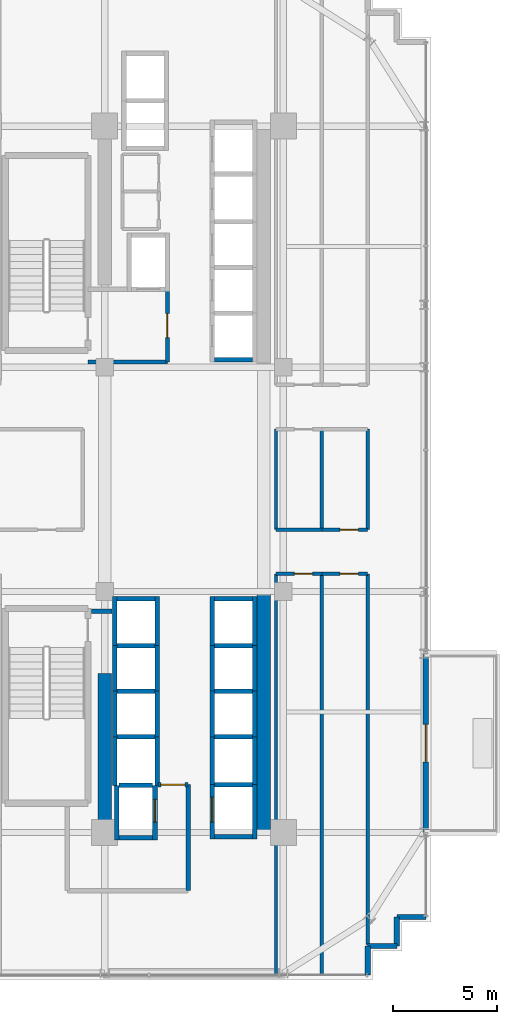
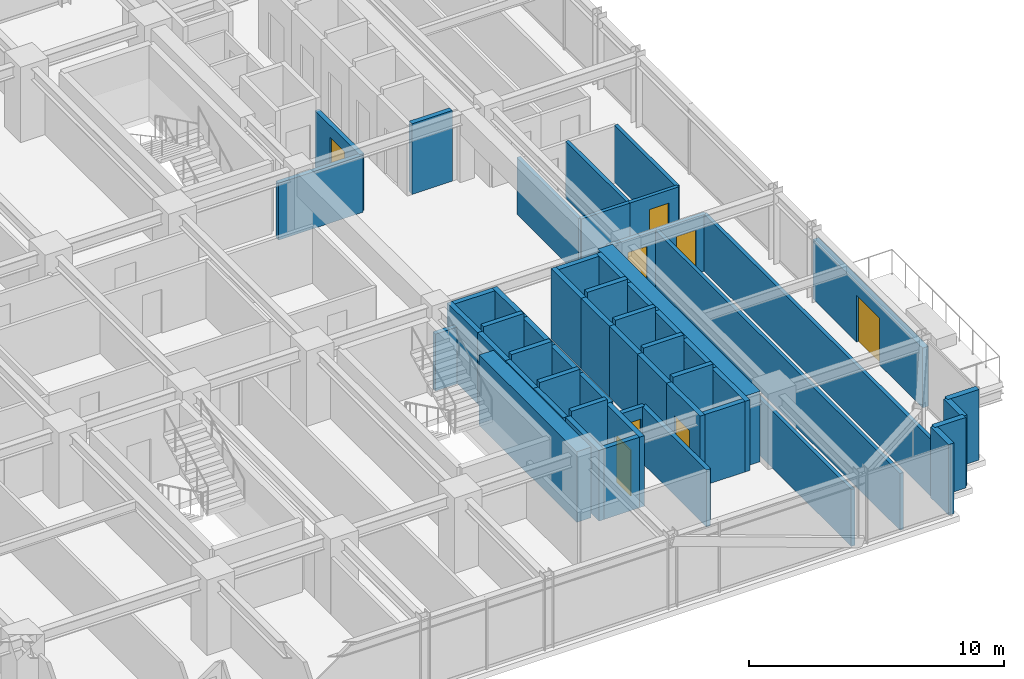
# One storey, part 28 of 34: 55 walls, 8 doors, 8 openings.
"""IFC4 building model written with IfcOpenShell, lengths in metres."""

from ifc_helpers import new_model, si_unit, direction, frame, frame_2d, origin, place, context, subcontext, project, spatial, rectangle, extrude, source, transform, mapped, material, layer, layer_set, type_object, element, fill, save


model = new_model("IFC4")

# Units and contexts
model_context = context("Model", 3, precision=1e-05, world=origin(), true_north=direction((0.0, 1.0)))
body_context = subcontext(model_context, "Body", "Model", "MODEL_VIEW")
ifc_project = project(units=[si_unit("LENGTHUNIT", "METRE"), si_unit("AREAUNIT", "SQUARE_METRE"), si_unit("VOLUMEUNIT", "CUBIC_METRE"), si_unit("PLANEANGLEUNIT", "RADIAN"), si_unit("MASSUNIT", "GRAM", prefix="KILO")], contexts=[model_context])

# Site, building, storey
site_placement = place(None, origin())
site = spatial("IfcSite", under=ifc_project, at=site_placement, CompositionType="ELEMENT")
building_placement = place(site_placement, origin())
building = spatial("IfcBuilding", under=site, at=building_placement, Name="Nahalor Promenade Grand Hotel", CompositionType="ELEMENT")
storey_placement = place(building_placement, frame((0.0, 0.0, 128.449951171875)))
storey = spatial("IfcBuildingStorey", under=building, at=storey_placement, Name="L32", CompositionType="ELEMENT", Elevation=128.449951171875)

# Walls
ifc_material_1 = material(Name="Concrete B-60 (C50/60)", Category="concrete")
ifc_layer_1 = layer(ifc_material_1, 0.64990234375)
ifc_layer_set_1 = layer_set([ifc_layer_1], Name="Concrete B-60 (C50/60)")
wall_type_1 = type_object("IfcWallType", Name="Wall-CoreShear-650", PredefinedType="SHEAR", material=ifc_layer_set_1)
shared_shape_1 = source(origin(), body_context, "Body", "SweptSolid", [
    extrude(rectangle(XDim=7.64990234375, YDim=0.64990234375, at=frame_2d((3.824951171875, 0.0))), origin(), (0.0, 0.0, 1.0), 3.380126953125),
])
wall_1_placement = place(storey_placement, frame((8.39990234375, -17.0, 0.0), z_axis=(0.0, 0.0, 1.0), x_axis=(0.0, 1.0, 0.0)))
element("IfcWall", 1, at=wall_1_placement, inside=storey, type_object=wall_type_1, Name="CWALL-L32-SW", PredefinedType="SHEAR", context=body_context, shape_type="MappedRepresentation", body=[
    mapped(shared_shape_1, transform((0.0, 0.0, 0.0), scale=1.0)),
])
shared_shape_2 = source(origin(), body_context, "Body", "SweptSolid", [
    extrude(rectangle(XDim=11.60009765625, YDim=0.64990234375, at=frame_2d((5.800048828125, 0.0))), origin(), (0.0, 0.0, 1.0), 3.380126953125),
])
wall_2_placement = place(storey_placement, frame((16.050048828125, -17.0, 0.0), z_axis=(0.0, 0.0, 1.0), x_axis=(0.0, 1.0, 0.0)))
element("IfcWall", 2, at=wall_2_placement, inside=storey, type_object=wall_type_1, Name="CWALL-L32-SE", PredefinedType="SHEAR", context=body_context, shape_type="MappedRepresentation", body=[
    mapped(shared_shape_2, transform((0.0, 0.0, 0.0), scale=1.0)),
])
ifc_material_2 = material(Name="Concrete B-50 (C40/50)", Category="concrete")
ifc_layer_2 = layer(ifc_material_2, 0.219970703125)
ifc_layer_set_2 = layer_set([ifc_layer_2], Name="Concrete B-50 (C40/50)")
wall_type_2 = type_object("IfcWallType", Name="Wall-LiftShaft-220", PredefinedType="SHEAR", material=ifc_layer_set_2)
shared_shape_3 = source(origin(), body_context, "Body", "SweptSolid", [
    extrude(rectangle(XDim=1.820068359375, YDim=0.219970703125, at=frame_2d((0.91015625, 0.0))), origin(), (0.0, 0.0, 1.0), 3.650146484375),
])
for number, where, z_axis, x_axis, name in (
    (3, (13.68994140625, -8.0, 0.0), (0.0, 0.0, 1.0), (1.0, 0.0, 0.0), "L32 Lift PL6 Hoistway Wall N"),
    (4, (13.68994140625, -10.199951171875, 0.0), (0.0, 0.0, 1.0), (1.0, 0.0, 0.0), "L32 Lift PL7 Hoistway Wall N"),
    (5, (13.68994140625, -12.39990234375, 0.0), (0.0, 0.0, 1.0), (1.0, 0.0, 0.0), "L32 Lift PL8 Hoistway Wall N"),
    (6, (8.989990234375, -8.0, 0.0), (0.0, 0.0, 1.0), (1.0, 0.0, 0.0), "L32 Lift PL10 Hoistway Wall N"),
    (7, (8.989990234375, -10.199951171875, 0.0), (0.0, 0.0, 1.0), (1.0, 0.0, 0.0), "L32 Lift PL11 Hoistway Wall N"),
    (8, (8.989990234375, -12.39990234375, 0.0), (0.0, 0.0, 1.0), (1.0, 0.0, 0.0), "L32 Lift PL12 Hoistway Wall N"),
    (9, (13.68994140625, -14.699951171875, 0.0), (0.0, 0.0, 1.0), (1.0, 0.0, 0.0), "L32 Lift SV2 Hoistway Wall N"),
):
    element("IfcWall", number, at=place(storey_placement, frame(where, z_axis=z_axis, x_axis=x_axis)), inside=storey, type_object=wall_type_2, Name=name, PredefinedType="SHEAR", context=body_context, shape_type="MappedRepresentation", body=[
        mapped(shared_shape_3, transform((0.0, 0.0, 0.0), scale=1.0)),
    ])
shared_shape_4 = source(origin(), body_context, "Body", "SweptSolid", [
    extrude(rectangle(XDim=2.360107421875, YDim=0.219970703125, at=frame_2d((1.18017578125, 0.0))), origin(), (0.0, 0.0, 1.0), 3.380126953125),
])
for number, where, z_axis, x_axis, name in (
    (10, (13.580078125, -8.0, 0.0), (0.0, 0.0, 1.0), (0.0, 1.0, 0.0), "L32 Lift PL5 Hoistway Wall W"),
    (11, (15.6201171875, -8.0, 0.0), (0.0, 0.0, 1.0), (0.0, 1.0, 0.0), "L32 Lift PL5 Hoistway Wall E"),
    (12, (8.8798828125, -8.0, 0.0), (0.0, 0.0, 1.0), (0.0, 1.0, 0.0), "L32 Lift PL9 Hoistway Wall W"),
    (13, (10.919921875, -8.0, 0.0), (0.0, 0.0, 1.0), (0.0, 1.0, 0.0), "L32 Lift PL9 Hoistway Wall E"),
):
    element("IfcWall", number, at=place(storey_placement, frame(where, z_axis=z_axis, x_axis=x_axis)), inside=storey, type_object=wall_type_2, Name=name, PredefinedType="SHEAR", context=body_context, shape_type="MappedRepresentation", body=[
        mapped(shared_shape_4, transform((0.0, 0.0, 0.0), scale=1.0)),
    ])
shared_shape_5 = source(origin(), body_context, "Body", "SweptSolid", [
    extrude(rectangle(XDim=1.820068359375, YDim=0.219970703125, at=frame_2d((0.91015625, 0.0))), origin(), (0.0, 0.0, 1.0), 3.380126953125),
])
for number, where, z_axis, x_axis, name in (
    (14, (13.68994140625, 5.75, 0.0), (0.0, 0.0, 1.0), (1.0, 0.0, 0.0), "L32 Lift PL1 Hoistway Wall S"),
    (15, (13.68994140625, -5.75, 0.0), (0.0, 0.0, 1.0), (1.0, 0.0, 0.0), "L32 Lift PL5 Hoistway Wall N"),
    (16, (8.989990234375, -5.75, 0.0), (0.0, 0.0, 1.0), (1.0, 0.0, 0.0), "L32 Lift PL9 Hoistway Wall N"),
    (17, (13.68994140625, -17.199951171875, 0.0), (0.0, 0.0, 1.0), (1.0, 0.0, 0.0), "L32 Lift SV2 Hoistway Wall S"),
):
    element("IfcWall", number, at=place(storey_placement, frame(where, z_axis=z_axis, x_axis=x_axis)), inside=storey, type_object=wall_type_2, Name=name, PredefinedType="SHEAR", context=body_context, shape_type="MappedRepresentation", body=[
        mapped(shared_shape_5, transform((0.0, 0.0, 0.0), scale=1.0)),
    ])
shared_shape_6 = source(origin(), body_context, "Body", "SweptSolid", [
    extrude(rectangle(XDim=2.199951171875, YDim=0.219970703125, at=frame_2d((1.10009765625, 0.0))), origin(), (0.0, 0.0, 1.0), 3.380126953125),
])
for number, where, z_axis, x_axis, name in (
    (18, (13.580078125, -10.199951171875, 0.0), (0.0, 0.0, 1.0), (0.0, 1.0, 0.0), "L32 Lift PL6 Hoistway Wall W"),
    (19, (15.6201171875, -10.199951171875, 0.0), (0.0, 0.0, 1.0), (0.0, 1.0, 0.0), "L32 Lift PL6 Hoistway Wall E"),
    (20, (13.580078125, -12.39990234375, 0.0), (0.0, 0.0, 1.0), (0.0, 1.0, 0.0), "L32 Lift PL7 Hoistway Wall W"),
    (21, (15.6201171875, -12.39990234375, 0.0), (0.0, 0.0, 1.0), (0.0, 1.0, 0.0), "L32 Lift PL7 Hoistway Wall E"),
    (22, (8.8798828125, -10.199951171875, 0.0), (0.0, 0.0, 1.0), (0.0, 1.0, 0.0), "L32 Lift PL10 Hoistway Wall W"),
    (23, (10.919921875, -10.199951171875, 0.0), (0.0, 0.0, 1.0), (0.0, 1.0, 0.0), "L32 Lift PL10 Hoistway Wall E"),
    (24, (8.8798828125, -12.39990234375, 0.0), (0.0, 0.0, 1.0), (0.0, 1.0, 0.0), "L32 Lift PL11 Hoistway Wall W"),
    (25, (10.919921875, -12.39990234375, 0.0), (0.0, 0.0, 1.0), (0.0, 1.0, 0.0), "L32 Lift PL11 Hoistway Wall E"),
):
    element("IfcWall", number, at=place(storey_placement, frame(where, z_axis=z_axis, x_axis=x_axis)), inside=storey, type_object=wall_type_2, Name=name, PredefinedType="SHEAR", context=body_context, shape_type="MappedRepresentation", body=[
        mapped(shared_shape_6, transform((0.0, 0.0, 0.0), scale=1.0)),
    ])
shared_shape_7 = source(origin(), body_context, "Body", "SweptSolid", [
    extrude(rectangle(XDim=2.300048828125, YDim=0.219970703125, at=frame_2d((1.14990234375, 0.0))), origin(), (0.0, 0.0, 1.0), 3.380126953125),
])
for number, where, z_axis, x_axis, name in (
    (26, (13.580078125, -14.699951171875, 0.0), (0.0, 0.0, 1.0), (0.0, 1.0, 0.0), "L32 Lift PL8 Hoistway Wall W"),
    (27, (15.6201171875, -14.699951171875, 0.0), (0.0, 0.0, 1.0), (0.0, 1.0, 0.0), "L32 Lift PL8 Hoistway Wall E"),
):
    element("IfcWall", number, at=place(storey_placement, frame(where, z_axis=z_axis, x_axis=x_axis)), inside=storey, type_object=wall_type_2, Name=name, PredefinedType="SHEAR", context=body_context, shape_type="MappedRepresentation", body=[
        mapped(shared_shape_7, transform((0.0, 0.0, 0.0), scale=1.0)),
    ])
shared_shape_8 = source(origin(), body_context, "Body", "SweptSolid", [
    extrude(rectangle(XDim=2.3251953125, YDim=0.219970703125, at=frame_2d((1.16259765625, 0.0))), origin(), (0.0, 0.0, 1.0), 3.380126953125),
])
for number, where, z_axis, x_axis, name in (
    (28, (8.8798828125, -14.72509765625, 0.0), (0.0, 0.0, 1.0), (0.0, 1.0, 0.0), "L32 Lift PL12 Hoistway Wall W"),
    (29, (10.919921875, -14.72509765625, 0.0), (0.0, 0.0, 1.0), (0.0, 1.0, 0.0), "L32 Lift PL12 Hoistway Wall E"),
):
    element("IfcWall", number, at=place(storey_placement, frame(where, z_axis=z_axis, x_axis=x_axis)), inside=storey, type_object=wall_type_2, Name=name, PredefinedType="SHEAR", context=body_context, shape_type="MappedRepresentation", body=[
        mapped(shared_shape_8, transform((0.0, 0.0, 0.0), scale=1.0)),
    ])
shared_shape_9 = source(origin(), body_context, "Body", "SweptSolid", [
    extrude(rectangle(XDim=1.619873046875, YDim=0.219970703125, at=frame_2d((0.81005859375, 0.0))), origin(), (0.0, 0.0, 1.0), 3.650146484375),
])
wall_3_placement = place(storey_placement, frame((9.090087890625, -14.72509765625, 0.0), z_axis=(0.0, 0.0, 1.0), x_axis=(1.0, 0.0, 0.0)))
element("IfcWall", 30, at=wall_3_placement, inside=storey, type_object=wall_type_2, Name="L32 Lift FL2 Hoistway Wall N", PredefinedType="SHEAR", context=body_context, shape_type="MappedRepresentation", body=[
    mapped(shared_shape_9, transform((0.0, 0.0, 0.0), scale=1.0)),
])
shared_shape_10 = source(origin(), body_context, "Body", "SweptSolid", [
    extrude(rectangle(XDim=2.635009765625, YDim=0.219970703125, at=frame_2d((1.3173828125, 0.0))), origin(), (0.0, 0.0, 1.0), 3.380126953125),
])
wall_4_placement = place(storey_placement, frame((8.97998046875, -17.360107421875, 0.0), z_axis=(0.0, 0.0, 1.0), x_axis=(0.0, 1.0, 0.0)))
element("IfcWall", 31, at=wall_4_placement, inside=storey, type_object=wall_type_2, Name="L32 Lift FL2 Hoistway Wall W", PredefinedType="SHEAR", context=body_context, shape_type="MappedRepresentation", body=[
    mapped(shared_shape_10, transform((0.0, 0.0, 0.0), scale=1.0)),
])

# Wall, opening, door
wall_5_placement = place(storey_placement, frame((10.820068359375, -17.360107421875, 0.0), z_axis=(0.0, 0.0, 1.0), x_axis=(0.0, 1.0, 0.0)))
wall_5 = element("IfcWall", 32, at=wall_5_placement, inside=storey, type_object=wall_type_2, Name="L32 Lift FL2 Hoistway Wall E", PredefinedType="SHEAR", context=body_context, shape_type="MappedRepresentation", body=[
    mapped(shared_shape_10, transform((0.0, 0.0, 0.0), scale=1.0)),
])
opening_1_placement = place(wall_5_placement, frame((0.860107421875, 0.0, 0.0)))
opening_1 = element("IfcOpeningElement", 33, at=opening_1_placement, cuts=wall_5, Name="Opening LD-02", PredefinedType="OPENING", context=body_context, shape_type="SweptSolid", body=[
    extrude(rectangle(XDim=1.10009765625, YDim=2.199951171875, at=frame_2d((0.550048828125, 1.10009765625))), frame((0.0, 0.119873046875, 0.0), z_axis=(0.0, -1.0, 0.0), x_axis=(1.0, 0.0, 0.0)), (0.0, 0.0, 1.0), 0.239990234375),
])
ifc_material_3 = material(Name="Steel S355JR", Category="steel")
door_type_1 = type_object("IfcDoorType", Name="Door-LiftFF-1100", OperationType="DOUBLE_DOOR_SLIDING", PredefinedType="DOOR", material=ifc_material_3)
shared_shape_11 = source(origin(), body_context, "Body", "SweptSolid", [
    extrude(rectangle(XDim=1.10009765625, YDim=2.199951171875, at=frame_2d((0.550048828125, 1.10009765625))), frame((0.0, 0.02490234375, 0.0), z_axis=(0.0, -1.0, 0.0), x_axis=(1.0, 0.0, 0.0)), (0.0, 0.0, 1.0), 0.050048828125),
])
door_1_placement = place(opening_1_placement, frame((1.10009765625, 0.0, 0.0), z_axis=(0.0, 0.0, 1.0), x_axis=(-1.0, 0.0, 0.0)))
door_1 = element("IfcDoor", 34, at=door_1_placement, inside=storey, type_object=door_type_1, Name="DR-LIFT-FL2-L32", OperationType="DOUBLE_DOOR_SLIDING", OverallHeight=2.199951171875, OverallWidth=1.10009765625, PredefinedType="DOOR", context=body_context, shape_type="MappedRepresentation", body=[
    mapped(shared_shape_11, transform((0.0, 0.0, 0.0), scale=1.0)),
])
fill(opening_1, door_1)

# Wall
shared_shape_12 = source(origin(), body_context, "Body", "SweptSolid", [
    extrude(rectangle(XDim=1.619873046875, YDim=0.219970703125, at=frame_2d((0.81005859375, 0.0))), origin(), (0.0, 0.0, 1.0), 3.380126953125),
])
wall_6_placement = place(storey_placement, frame((9.090087890625, -17.25, 0.0), z_axis=(0.0, 0.0, 1.0), x_axis=(1.0, 0.0, 0.0)))
element("IfcWall", 35, at=wall_6_placement, inside=storey, type_object=wall_type_2, Name="L32 Lift FL2 Hoistway Wall S", PredefinedType="SHEAR", context=body_context, shape_type="MappedRepresentation", body=[
    mapped(shared_shape_12, transform((0.0, 0.0, 0.0), scale=1.0)),
])

# Wall, opening, door
shared_shape_13 = source(origin(), body_context, "Body", "SweptSolid", [
    extrude(rectangle(XDim=2.610107421875, YDim=0.219970703125, at=frame_2d((1.30517578125, 0.0))), origin(), (0.0, 0.0, 1.0), 3.380126953125),
])
wall_7_placement = place(storey_placement, frame((13.580078125, -17.31005859375, 0.0), z_axis=(0.0, 0.0, 1.0), x_axis=(0.0, 1.0, 0.0)))
wall_7 = element("IfcWall", 36, at=wall_7_placement, inside=storey, type_object=wall_type_2, Name="L32 Lift SV2 Hoistway Wall W", PredefinedType="SHEAR", context=body_context, shape_type="MappedRepresentation", body=[
    mapped(shared_shape_13, transform((0.0, 0.0, 0.0), scale=1.0)),
])
opening_2_placement = place(wall_7_placement, frame((0.81005859375, 0.0, 0.0)))
opening_2 = element("IfcOpeningElement", 37, at=opening_2_placement, cuts=wall_7, Name="Opening LD-03", PredefinedType="OPENING", context=body_context, shape_type="SweptSolid", body=[
    extrude(rectangle(XDim=1.199951171875, YDim=2.199951171875, at=frame_2d((0.60009765625, 1.10009765625))), frame((0.0, 0.119873046875, 0.0), z_axis=(0.0, -1.0, 0.0), x_axis=(1.0, 0.0, 0.0)), (0.0, 0.0, 1.0), 0.239990234375),
])
door_type_2 = type_object("IfcDoorType", Name="Door-LiftService-1200", OperationType="DOUBLE_DOOR_SLIDING", PredefinedType="DOOR", material=ifc_material_3)
shared_shape_14 = source(origin(), body_context, "Body", "SweptSolid", [
    extrude(rectangle(XDim=1.199951171875, YDim=2.199951171875, at=frame_2d((0.60009765625, 1.10009765625))), frame((0.0, 0.02490234375, 0.0), z_axis=(0.0, -1.0, 0.0), x_axis=(1.0, 0.0, 0.0)), (0.0, 0.0, 1.0), 0.050048828125),
])
door_2_placement = place(opening_2_placement, origin())
door_2 = element("IfcDoor", 38, at=door_2_placement, inside=storey, type_object=door_type_2, Name="DR-LIFT-SV2-L32", OperationType="DOUBLE_DOOR_SLIDING", OverallHeight=2.199951171875, OverallWidth=1.199951171875, PredefinedType="DOOR", context=body_context, shape_type="MappedRepresentation", body=[
    mapped(shared_shape_14, transform((0.0, 0.0, 0.0), scale=1.0)),
])
fill(opening_2, door_2)

# Walls
wall_8_placement = place(storey_placement, frame((15.6201171875, -17.31005859375, 0.0), z_axis=(0.0, 0.0, 1.0), x_axis=(0.0, 1.0, 0.0)))
element("IfcWall", 39, at=wall_8_placement, inside=storey, type_object=wall_type_2, Name="L32 Lift SV2 Hoistway Wall E", PredefinedType="SHEAR", context=body_context, shape_type="MappedRepresentation", body=[
    mapped(shared_shape_13, transform((0.0, 0.0, 0.0), scale=1.0)),
])
ifc_material_4 = material(Name="Concrete B-40 (C32/40)", Category="concrete")
ifc_layer_3 = layer(ifc_material_4, 0.25)
ifc_layer_set_3 = layer_set([ifc_layer_3], Name="Concrete B-40 (C32/40)")
wall_type_3 = type_object("IfcWallType", Name="Wall-BronzePier-250", PredefinedType="STANDARD", material=ifc_layer_set_3)
shared_shape_15 = source(origin(), body_context, "Body", "SweptSolid", [
    extrude(rectangle(XDim=1.400146484375, YDim=0.25, at=frame_2d((0.7001953125, 0.0))), origin(), (0.0, 0.0, 1.0), 3.380126953125),
])
for number, where, z_axis, x_axis, name in (
    (40, (21.06005859375, -23.860107421875, 0.0), (0.0, 0.0, 1.0), (0.0, 1.0, 0.0), "W-L32-SR-01"),
    (41, (22.4599609375, -21.06005859375, 0.0), (0.0, 0.0, 1.0), (1.0, 0.0, 0.0), "W-L32-SR-04"),
):
    element("IfcWall", number, at=place(storey_placement, frame(where, z_axis=z_axis, x_axis=x_axis)), inside=storey, type_object=wall_type_3, Name=name, PredefinedType="STANDARD", context=body_context, shape_type="MappedRepresentation", body=[
        mapped(shared_shape_15, transform((0.0, 0.0, 0.0), scale=1.0)),
    ])
shared_shape_16 = source(origin(), body_context, "Body", "SweptSolid", [
    extrude(rectangle(XDim=1.39990234375, YDim=0.25, at=frame_2d((0.699951171875, 0.0))), origin(), (0.0, 0.0, 1.0), 3.380126953125),
])
for number, where, z_axis, x_axis, name in (
    (42, (21.06005859375, -22.4599609375, 0.0), (0.0, 0.0, 1.0), (1.0, 0.0, 0.0), "W-L32-SR-02"),
    (43, (22.4599609375, -22.4599609375, 0.0), (0.0, 0.0, 1.0), (0.0, 1.0, 0.0), "W-L32-SR-03"),
):
    element("IfcWall", number, at=place(storey_placement, frame(where, z_axis=z_axis, x_axis=x_axis)), inside=storey, type_object=wall_type_3, Name=name, PredefinedType="STANDARD", context=body_context, shape_type="MappedRepresentation", body=[
        mapped(shared_shape_16, transform((0.0, 0.0, 0.0), scale=1.0)),
    ])

# Wall, opening, door
ifc_layer_4 = layer(ifc_material_4, 0.260009765625)
ifc_layer_set_4 = layer_set([ifc_layer_4], Name="Concrete B-40 (C32/40)")
wall_type_4 = type_object("IfcWallType", Name="Wall-BalconyWall-260", PredefinedType="STANDARD", material=ifc_layer_set_4)
shared_shape_17 = source(origin(), body_context, "Body", "SweptSolid", [
    extrude(rectangle(XDim=8.60009765625, YDim=0.260009765625, at=frame_2d((4.300048828125, 0.0))), origin(), (0.0, 0.0, 1.0), 2.860107421875),
])
wall_9_placement = place(storey_placement, frame((23.860107421875, -17.0, 0.0), z_axis=(0.0, 0.0, 1.0), x_axis=(0.0, 1.0, 0.0)))
wall_9 = element("IfcWall", 44, at=wall_9_placement, inside=storey, type_object=wall_type_4, Name="W-L32-BALC-E-2", PredefinedType="STANDARD", context=body_context, shape_type="MappedRepresentation", body=[
    mapped(shared_shape_17, transform((0.0, 0.0, 0.0), scale=1.0)),
])
opening_3_placement = place(wall_9_placement, frame((3.39990234375, 0.0, 0.0)))
opening_3 = element("IfcOpeningElement", 45, at=opening_3_placement, cuts=wall_9, Name="Opening D-BC1", PredefinedType="OPENING", context=body_context, shape_type="SweptSolid", body=[
    extrude(rectangle(XDim=1.800048828125, YDim=2.25, at=frame_2d((0.89990234375, 1.125))), frame((0.0, 0.139892578125, 0.0), z_axis=(0.0, -1.0, 0.0), x_axis=(1.0, 0.0, 0.0)), (0.0, 0.0, 1.0), 0.280029296875),
])
ifc_material_5 = material(Name="Anodised Bronze Aluminium EN AW-6063 T6", Category="aluminium")
door_type_3 = type_object("IfcDoorType", Name="Door-BalconySlide-1800", OperationType="DOUBLE_DOOR_SLIDING", PredefinedType="DOOR", material=ifc_material_5)
shared_shape_18 = source(origin(), body_context, "Body", "SweptSolid", [
    extrude(rectangle(XDim=1.800048828125, YDim=2.25, at=frame_2d((0.89990234375, 1.125))), frame((0.0, 0.02490234375, 0.0), z_axis=(0.0, -1.0, 0.0), x_axis=(1.0, 0.0, 0.0)), (0.0, 0.0, 1.0), 0.050048828125),
])
door_3_placement = place(opening_3_placement, frame((1.800048828125, 0.0, 0.0), z_axis=(0.0, 0.0, 1.0), x_axis=(-1.0, 0.0, 0.0)))
door_3 = element("IfcDoor", 46, at=door_3_placement, inside=storey, type_object=door_type_3, Name="DR-L32-BALC-E-2", OperationType="DOUBLE_DOOR_SLIDING", OverallHeight=2.25, OverallWidth=1.800048828125, PredefinedType="DOOR", context=body_context, shape_type="MappedRepresentation", body=[
    mapped(shared_shape_18, transform((0.0, 0.0, 0.0), scale=1.0)),
])
fill(opening_3, door_3)

# Wall
ifc_layer_5 = layer(ifc_material_4, 0.199951171875)
ifc_layer_set_5 = layer_set([ifc_layer_5], Name="Concrete B-40 (C32/40)")
wall_type_5 = type_object("IfcWallType", Name="Wall-PartFire-200", PredefinedType="PARTITIONING", material=ifc_layer_set_5)
shared_shape_19 = source(origin(), body_context, "Body", "SweptSolid", [
    extrude(rectangle(XDim=3.81982421875, YDim=0.199951171875, at=frame_2d((1.909912109375, 0.0))), origin(), (0.0, 0.0, 1.0), 2.719970703125),
])
wall_10_placement = place(storey_placement, frame((7.60009765625, 5.64990234375, 0.0), z_axis=(0.0, 0.0, 1.0), x_axis=(1.0, 0.0, 0.0)))
element("IfcWall", 47, at=wall_10_placement, inside=storey, type_object=wall_type_5, Name="W-L32-FF1-S", PredefinedType="PARTITIONING", context=body_context, shape_type="MappedRepresentation", body=[
    mapped(shared_shape_19, transform((0.0, 0.0, 0.0), scale=1.0)),
])

# Wall, opening, door
shared_shape_20 = source(origin(), body_context, "Body", "SweptSolid", [
    extrude(rectangle(XDim=3.5, YDim=0.199951171875, at=frame_2d((1.75, 0.0))), origin(), (0.0, 0.0, 1.0), 2.719970703125),
])
wall_11_placement = place(storey_placement, frame((11.419921875, 5.64990234375, 0.0), z_axis=(0.0, 0.0, 1.0), x_axis=(0.0, 1.0, 0.0)))
wall_11 = element("IfcWall", 48, at=wall_11_placement, inside=storey, type_object=wall_type_5, Name="W-L32-FF1-E", PredefinedType="PARTITIONING", context=body_context, shape_type="MappedRepresentation", body=[
    mapped(shared_shape_20, transform((0.0, 0.0, 0.0), scale=1.0)),
])
opening_4_placement = place(wall_11_placement, frame((1.175048828125, 0.0, 0.0)))
opening_4 = element("IfcOpeningElement", 49, at=opening_4_placement, cuts=wall_11, Name="Opening D-FF1", PredefinedType="OPENING", context=body_context, shape_type="SweptSolid", body=[
    extrude(rectangle(XDim=1.14990234375, YDim=2.14990234375, at=frame_2d((0.574951171875, 1.074951171875))), frame((0.0, 0.10986328125, 0.0), z_axis=(0.0, -1.0, 0.0), x_axis=(1.0, 0.0, 0.0)), (0.0, 0.0, 1.0), 0.219970703125),
])
door_type_4 = type_object("IfcDoorType", Name="Door-FFLobby-1150", OperationType="NOTDEFINED", PredefinedType="DOOR", material=ifc_material_3)
shared_shape_21 = source(origin(), body_context, "Body", "SweptSolid", [
    extrude(rectangle(XDim=1.14990234375, YDim=2.14990234375, at=frame_2d((0.574951171875, 1.074951171875))), frame((0.0, 0.02490234375, 0.0), z_axis=(0.0, -1.0, 0.0), x_axis=(1.0, 0.0, 0.0)), (0.0, 0.0, 1.0), 0.050048828125),
])
door_4_placement = place(opening_4_placement, frame((1.14990234375, 0.0, 0.0), z_axis=(0.0, 0.0, 1.0), x_axis=(-1.0, 0.0, 0.0)))
door_4 = element("IfcDoor", 50, at=door_4_placement, inside=storey, type_object=door_type_4, Name="DR-L32-FFL1", OperationType="SINGLE_SWING_RIGHT", OverallHeight=2.14990234375, OverallWidth=1.14990234375, PredefinedType="DOOR", context=body_context, shape_type="MappedRepresentation", body=[
    mapped(shared_shape_21, transform((0.0, 0.0, 0.0), scale=1.0)),
])
fill(opening_4, door_4)

# Wall
shared_shape_22 = source(origin(), body_context, "Body", "SweptSolid", [
    extrude(rectangle(XDim=5.10009765625, YDim=0.199951171875, at=frame_2d((2.550048828125, 0.0))), origin(), (0.0, 0.0, 1.0), 2.719970703125),
])
wall_12_placement = place(storey_placement, frame((12.419921875, -19.800048828125, 0.0), z_axis=(0.0, 0.0, 1.0), x_axis=(0.0, 1.0, 0.0)))
element("IfcWall", 51, at=wall_12_placement, inside=storey, type_object=wall_type_5, Name="W-L32-FF2-E", PredefinedType="PARTITIONING", context=body_context, shape_type="MappedRepresentation", body=[
    mapped(shared_shape_22, transform((0.0, 0.0, 0.0), scale=1.0)),
])

# Wall, opening, door
shared_shape_23 = source(origin(), body_context, "Body", "SweptSolid", [
    extrude(rectangle(XDim=1.4599609375, YDim=0.199951171875, at=frame_2d((0.72998046875, 0.0))), origin(), (0.0, 0.0, 1.0), 2.719970703125),
])
wall_13_placement = place(storey_placement, frame((10.9599609375, -14.699951171875, 0.0), z_axis=(0.0, 0.0, 1.0), x_axis=(1.0, 0.0, 0.0)))
wall_13 = element("IfcWall", 52, at=wall_13_placement, inside=storey, type_object=wall_type_5, Name="W-L32-FF2-N1", PredefinedType="PARTITIONING", context=body_context, shape_type="MappedRepresentation", body=[
    mapped(shared_shape_23, transform((0.0, 0.0, 0.0), scale=1.0)),
])
opening_5_placement = place(wall_13_placement, frame((0.14501953125, 0.0, 0.0)))
opening_5 = element("IfcOpeningElement", 53, at=opening_5_placement, cuts=wall_13, Name="Opening D-FF1", PredefinedType="OPENING", context=body_context, shape_type="SweptSolid", body=[
    extrude(rectangle(XDim=1.14990234375, YDim=2.14990234375, at=frame_2d((0.574951171875, 1.074951171875))), frame((0.0, 0.10986328125, 0.0), z_axis=(0.0, -1.0, 0.0), x_axis=(1.0, 0.0, 0.0)), (0.0, 0.0, 1.0), 0.219970703125),
])
door_5_placement = place(opening_5_placement, origin())
door_5 = element("IfcDoor", 54, at=door_5_placement, inside=storey, type_object=door_type_4, Name="DR-L32-FFL2", OperationType="SINGLE_SWING_LEFT", OverallHeight=2.14990234375, OverallWidth=1.14990234375, PredefinedType="DOOR", context=body_context, shape_type="MappedRepresentation", body=[
    mapped(shared_shape_21, transform((0.0, 0.0, 0.0), scale=1.0)),
])
fill(opening_5, door_5)

# Walls
shared_shape_24 = source(origin(), body_context, "Body", "SweptSolid", [
    extrude(rectangle(XDim=0.969970703125, YDim=0.199951171875, at=frame_2d((0.48486328125, 0.0))), origin(), (0.0, 0.0, 1.0), 2.719970703125),
])
wall_14_placement = place(storey_placement, frame((7.77001953125, -6.35009765625, 0.0), z_axis=(0.0, 0.0, 1.0), x_axis=(1.0, 0.0, 0.0)))
element("IfcWall", 55, at=wall_14_placement, inside=storey, type_object=wall_type_5, Name="W-L32-FF2-N2", PredefinedType="PARTITIONING", context=body_context, shape_type="MappedRepresentation", body=[
    mapped(shared_shape_24, transform((0.0, 0.0, 0.0), scale=1.0)),
])
ifc_material_6 = material(Name="Acoustic Mineral Gypsum", Category="gypsum")
ifc_layer_6 = layer(ifc_material_6, 0.159912109375)
ifc_layer_set_6 = layer_set([ifc_layer_6], Name="Acoustic Mineral Gypsum")
wall_type_6 = type_object("IfcWallType", Name="Wall-PartCorridor-160", PredefinedType="PARTITIONING", material=ifc_layer_set_6)
shared_shape_25 = source(origin(), body_context, "Body", "SweptSolid", [
    extrude(rectangle(XDim=19.25, YDim=0.159912109375, at=frame_2d((9.625, 0.0))), origin(), (0.0, 0.0, 1.0), 2.719970703125),
])
for number, where, z_axis, x_axis, name in (
    (56, (16.64990234375, -23.800048828125, 0.0), (0.0, 0.0, 1.0), (0.0, 1.0, 0.0), "W-L32-ESE1-W"),
    (57, (18.85498046875, -23.800048828125, 0.0), (0.0, 0.0, 1.0), (0.0, 1.0, 0.0), "W-L32-ESE1-E"),
):
    element("IfcWall", number, at=place(storey_placement, frame(where, z_axis=z_axis, x_axis=x_axis)), inside=storey, type_object=wall_type_6, Name=name, PredefinedType="PARTITIONING", context=body_context, shape_type="MappedRepresentation", body=[
        mapped(shared_shape_25, transform((0.0, 0.0, 0.0), scale=1.0)),
    ])
shared_shape_26 = source(origin(), body_context, "Body", "SweptSolid", [
    extrude(rectangle(XDim=17.829833984375, YDim=0.159912109375, at=frame_2d((8.9150390625, 0.0))), origin(), (0.0, 0.0, 1.0), 2.719970703125),
])
wall_15_placement = place(storey_placement, frame((21.06005859375, -22.3798828125, 0.0), z_axis=(0.0, 0.0, 1.0), x_axis=(0.0, 1.0, 0.0)))
element("IfcWall", 58, at=wall_15_placement, inside=storey, type_object=wall_type_6, Name="W-L32-ESE2-E", PredefinedType="PARTITIONING", context=body_context, shape_type="MappedRepresentation", body=[
    mapped(shared_shape_26, transform((0.0, 0.0, 0.0), scale=1.0)),
])
shared_shape_27 = source(origin(), body_context, "Body", "SweptSolid", [
    extrude(rectangle(XDim=4.83984375, YDim=0.159912109375, at=frame_2d((2.419921875, 0.0))), origin(), (0.0, 0.0, 1.0), 2.719970703125),
])
for number, where, z_axis, x_axis, name in (
    (59, (16.64990234375, -2.419921875, 0.0), (0.0, 0.0, 1.0), (0.0, 1.0, 0.0), "W-L32-ECW1-W"),
    (60, (18.85498046875, -2.419921875, 0.0), (0.0, 0.0, 1.0), (0.0, 1.0, 0.0), "W-L32-ECW1-E"),
    (61, (21.06005859375, -2.419921875, 0.0), (0.0, 0.0, 1.0), (0.0, 1.0, 0.0), "W-L32-ECW2-E"),
):
    element("IfcWall", number, at=place(storey_placement, frame(where, z_axis=z_axis, x_axis=x_axis)), inside=storey, type_object=wall_type_6, Name=name, PredefinedType="PARTITIONING", context=body_context, shape_type="MappedRepresentation", body=[
        mapped(shared_shape_27, transform((0.0, 0.0, 0.0), scale=1.0)),
    ])

# Wall, opening, door
shared_shape_28 = source(origin(), body_context, "Body", "SweptSolid", [
    extrude(rectangle(XDim=2.205078125, YDim=0.159912109375, at=frame_2d((1.1025390625, 0.0))), origin(), (0.0, 0.0, 1.0), 2.719970703125),
])
wall_16_placement = place(storey_placement, frame((16.64990234375, -4.550048828125, 0.0), z_axis=(0.0, 0.0, 1.0), x_axis=(1.0, 0.0, 0.0)))
wall_16 = element("IfcWall", 62, at=wall_16_placement, inside=storey, type_object=wall_type_6, Name="W-L32-ESE1-N", PredefinedType="PARTITIONING", context=body_context, shape_type="MappedRepresentation", body=[
    mapped(shared_shape_28, transform((0.0, 0.0, 0.0), scale=1.0)),
])
opening_6_placement = place(wall_16_placement, frame((0.875, 0.0, 0.0)))
opening_6 = element("IfcOpeningElement", 63, at=opening_6_placement, cuts=wall_16, Name="Opening D-03", PredefinedType="OPENING", context=body_context, shape_type="SweptSolid", body=[
    extrude(rectangle(XDim=0.8798828125, YDim=2.10009765625, at=frame_2d((0.43994140625, 1.050048828125))), frame((0.0, 0.08984375, 0.0), z_axis=(0.0, -1.0, 0.0), x_axis=(1.0, 0.0, 0.0)), (0.0, 0.0, 1.0), 0.179931640625),
])
ifc_material_7 = material(Name="Fire-Rated Timber Composite", Category="wood")
door_type_5 = type_object("IfcDoorType", Name="Door-BathSwing-880", OperationType="NOTDEFINED", PredefinedType="DOOR", material=ifc_material_7)
shared_shape_29 = source(origin(), body_context, "Body", "SweptSolid", [
    extrude(rectangle(XDim=0.8798828125, YDim=2.10009765625, at=frame_2d((0.43994140625, 1.050048828125))), frame((0.0, 0.02490234375, 0.0), z_axis=(0.0, -1.0, 0.0), x_axis=(1.0, 0.0, 0.0)), (0.0, 0.0, 1.0), 0.050048828125),
])
door_6_placement = place(opening_6_placement, frame((0.8798828125, 0.0, 0.0), z_axis=(0.0, 0.0, 1.0), x_axis=(-1.0, 0.0, 0.0)))
door_6 = element("IfcDoor", 64, at=door_6_placement, inside=storey, type_object=door_type_5, Name="DR-L32-ESE1", OperationType="SINGLE_SWING_RIGHT", OverallHeight=2.10009765625, OverallWidth=0.8798828125, PredefinedType="DOOR", context=body_context, shape_type="MappedRepresentation", body=[
    mapped(shared_shape_29, transform((0.0, 0.0, 0.0), scale=1.0)),
])
fill(opening_6, door_6)

wall_17_placement = place(storey_placement, frame((18.85498046875, -4.550048828125, 0.0), z_axis=(0.0, 0.0, 1.0), x_axis=(1.0, 0.0, 0.0)))
wall_17 = element("IfcWall", 65, at=wall_17_placement, inside=storey, type_object=wall_type_6, Name="W-L32-ESE2-N", PredefinedType="PARTITIONING", context=body_context, shape_type="MappedRepresentation", body=[
    mapped(shared_shape_28, transform((0.0, 0.0, 0.0), scale=1.0)),
])
opening_7_placement = place(wall_17_placement, frame((0.875, 0.0, 0.0)))
opening_7 = element("IfcOpeningElement", 66, at=opening_7_placement, cuts=wall_17, Name="Opening D-03", PredefinedType="OPENING", context=body_context, shape_type="SweptSolid", body=[
    extrude(rectangle(XDim=0.8798828125, YDim=2.10009765625, at=frame_2d((0.43994140625, 1.050048828125))), frame((0.0, 0.08984375, 0.0), z_axis=(0.0, -1.0, 0.0), x_axis=(1.0, 0.0, 0.0)), (0.0, 0.0, 1.0), 0.179931640625),
])
door_7_placement = place(opening_7_placement, frame((0.8798828125, 0.0, 0.0), z_axis=(0.0, 0.0, 1.0), x_axis=(-1.0, 0.0, 0.0)))
door_7 = element("IfcDoor", 67, at=door_7_placement, inside=storey, type_object=door_type_5, Name="DR-L32-ESE2", OperationType="SINGLE_SWING_LEFT", OverallHeight=2.10009765625, OverallWidth=0.8798828125, PredefinedType="DOOR", context=body_context, shape_type="MappedRepresentation", body=[
    mapped(shared_shape_29, transform((0.0, 0.0, 0.0), scale=1.0)),
])
fill(opening_7, door_7)

# Wall
wall_18_placement = place(storey_placement, frame((16.64990234375, -2.419921875, 0.0), z_axis=(0.0, 0.0, 1.0), x_axis=(1.0, 0.0, 0.0)))
element("IfcWall", 68, at=wall_18_placement, inside=storey, type_object=wall_type_6, Name="W-L32-ECW1-S", PredefinedType="PARTITIONING", context=body_context, shape_type="MappedRepresentation", body=[
    mapped(shared_shape_28, transform((0.0, 0.0, 0.0), scale=1.0)),
])

# Wall, opening, door
wall_19_placement = place(storey_placement, frame((18.85498046875, -2.419921875, 0.0), z_axis=(0.0, 0.0, 1.0), x_axis=(1.0, 0.0, 0.0)))
wall_19 = element("IfcWall", 69, at=wall_19_placement, inside=storey, type_object=wall_type_6, Name="W-L32-ECW2-S", PredefinedType="PARTITIONING", context=body_context, shape_type="MappedRepresentation", body=[
    mapped(shared_shape_28, transform((0.0, 0.0, 0.0), scale=1.0)),
])
opening_8_placement = place(wall_19_placement, frame((0.875, 0.0, 0.0)))
opening_8 = element("IfcOpeningElement", 70, at=opening_8_placement, cuts=wall_19, Name="Opening D-03", PredefinedType="OPENING", context=body_context, shape_type="SweptSolid", body=[
    extrude(rectangle(XDim=0.8798828125, YDim=2.10009765625, at=frame_2d((0.43994140625, 1.050048828125))), frame((0.0, 0.08984375, 0.0), z_axis=(0.0, -1.0, 0.0), x_axis=(1.0, 0.0, 0.0)), (0.0, 0.0, 1.0), 0.179931640625),
])
door_8_placement = place(opening_8_placement, origin())
door_8 = element("IfcDoor", 71, at=door_8_placement, inside=storey, type_object=door_type_5, Name="DR-L32-ECW2", OperationType="SINGLE_SWING_LEFT", OverallHeight=2.10009765625, OverallWidth=0.8798828125, PredefinedType="DOOR", context=body_context, shape_type="MappedRepresentation", body=[
    mapped(shared_shape_29, transform((0.0, 0.0, 0.0), scale=1.0)),
])
fill(opening_8, door_8)

save(model, "model.ifc")
